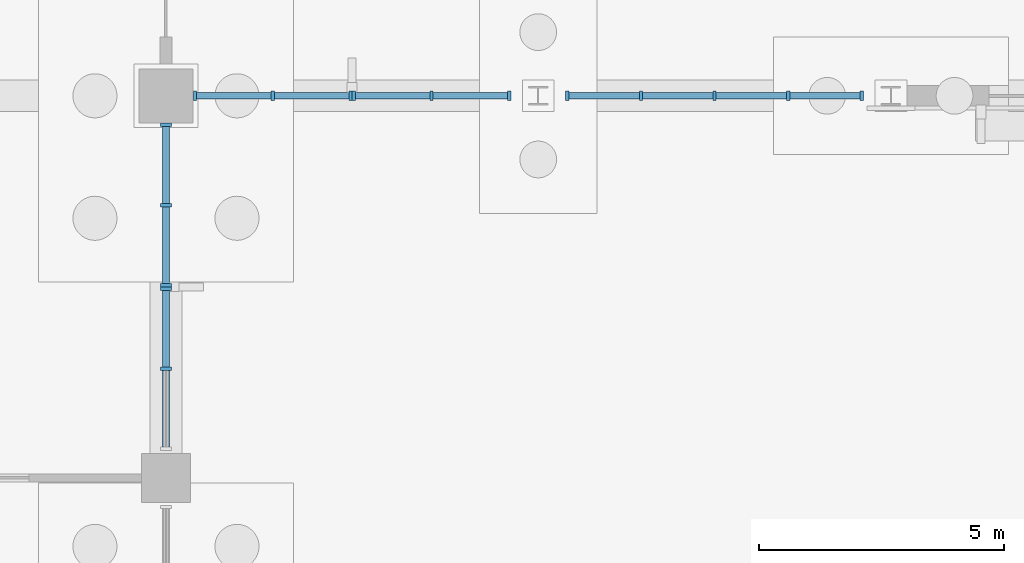
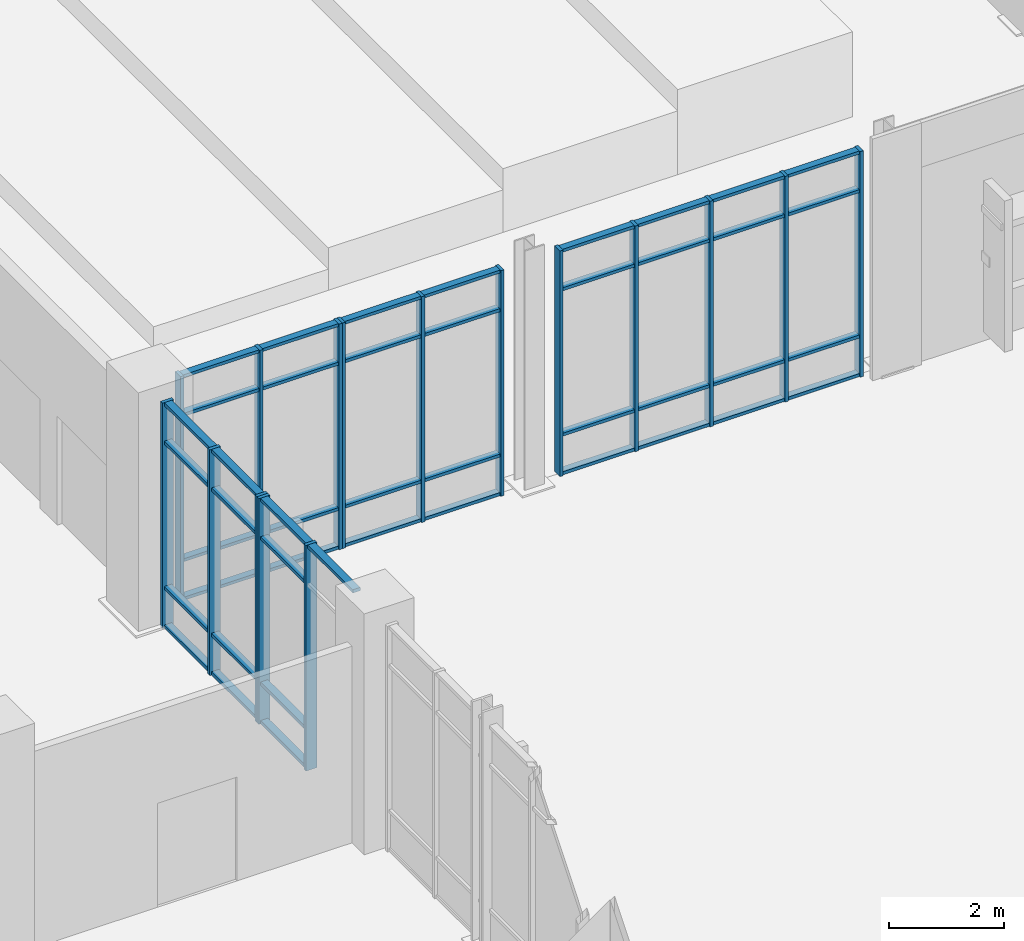
# One storey, part 47 of 94: 61 members, 5 elements without a shape of their own.
"""IFC4 building model written with IfcOpenShell, lengths in metres."""

from ifc_helpers import new_model, si_unit, direction, frame, origin, origin_2d, place, context, subcontext, project, spatial, rectangle, extrude, material, material_profile, profile_set, type_object, element, aggregate, save


model = new_model("IFC4")

# Units and contexts
model_context = context("Model", 3, precision=1e-05, world=origin(), true_north=direction((0.0, 1.0)))
body_context = subcontext(model_context, "Body", "Model", "MODEL_VIEW")
ifc_project = project(units=[si_unit("LENGTHUNIT", "METRE"), si_unit("AREAUNIT", "SQUARE_METRE"), si_unit("VOLUMEUNIT", "CUBIC_METRE"), si_unit("PLANEANGLEUNIT", "RADIAN"), si_unit("MASSUNIT", "GRAM", prefix="KILO")], contexts=[model_context])

# Site, building, storey
site_placement = place(None, origin())
site = spatial("IfcSite", under=ifc_project, at=site_placement, CompositionType="ELEMENT")
building_placement = place(site_placement, origin())
building = spatial("IfcBuilding", under=site, at=building_placement, Name="Vervanel Yard Central Library", CompositionType="ELEMENT")
storey_placement = place(building_placement, origin())
storey = spatial("IfcBuildingStorey", under=building, at=storey_placement, Name="L00", CompositionType="ELEMENT", Elevation=0.0)

# Curtain wall, members
ifc_material = material(Name="Thermally broken anodized aluminium 6063-T6", Category="aluminium")
curtain_wall_type_1 = type_object("IfcCurtainWallType", Name="Auditorium Foyer Curtain Wall", PredefinedType="NOTDEFINED", material=ifc_material)
curtain_wall_1_placement = place(storey_placement, origin())
curtain_wall_1 = element("IfcCurtainWall", 1, at=curtain_wall_1_placement, inside=storey, type_object=curtain_wall_type_1, Name="L00 Auditorium Foyer Curtain Wall CWR-L00-148", PredefinedType="NOTDEFINED")
ifc_material_profile_1 = material_profile(ifc_material, rectangle(XDim=0.06494140625, YDim=0.18994140625, at=origin_2d()), Name="ALU 65x190", Category="aluminium")
ifc_profile_set_1 = profile_set([ifc_material_profile_1], Name="Thermally broken anodized aluminium 6063-T6")
member_type_1 = type_object("IfcMemberType", Name="Curtain Wall Primary Mullion 65x190", PredefinedType="MULLION", material=ifc_profile_set_1)
member_1_placement = place(storey_placement, frame((146.592529296875, 74.39990234375, 0.0), z_axis=(0.0, 0.0, 1.0), x_axis=(1.0, 0.0, 0.0)))
member_1 = element("IfcMember", 2, at=member_1_placement, type_object=member_type_1, Name="CWR-L00-148 Mullion 1", PredefinedType="MULLION", context=body_context, shape_type="SweptSolid", body=[
    extrude(rectangle(XDim=0.06494140625, YDim=0.18994140625, at=origin_2d()), origin(), (0.0, 0.0, 1.0), 4.780029296875),
])
member_2_placement = place(storey_placement, frame((148.179931640625, 74.39990234375, 0.0), z_axis=(0.0, 0.0, 1.0), x_axis=(1.0, 0.0, 0.0)))
member_2 = element("IfcMember", 3, at=member_2_placement, type_object=member_type_1, Name="CWR-L00-148 Mullion 2", PredefinedType="MULLION", context=body_context, shape_type="SweptSolid", body=[
    extrude(rectangle(XDim=0.06494140625, YDim=0.18994140625, at=origin_2d()), origin(), (0.0, 0.0, 1.0), 4.780029296875),
])
member_3_placement = place(storey_placement, frame((149.767578125, 74.39990234375, 0.0), z_axis=(0.0, 0.0, 1.0), x_axis=(1.0, 0.0, 0.0)))
member_3 = element("IfcMember", 4, at=member_3_placement, type_object=member_type_1, Name="CWR-L00-148 Mullion 3", PredefinedType="MULLION", context=body_context, shape_type="SweptSolid", body=[
    extrude(rectangle(XDim=0.06494140625, YDim=0.18994140625, at=origin_2d()), origin(), (0.0, 0.0, 1.0), 4.780029296875),
])

curtain_wall_2_placement = place(storey_placement, origin())
curtain_wall_2 = element("IfcCurtainWall", 5, at=curtain_wall_2_placement, inside=storey, type_object=curtain_wall_type_1, Name="L00 Auditorium Foyer Curtain Wall CWR-L00-149", PredefinedType="NOTDEFINED")
member_4_placement = place(storey_placement, frame((149.83251953125, 74.39990234375, 0.0), z_axis=(0.0, 0.0, 1.0), x_axis=(1.0, 0.0, 0.0)))
member_4 = element("IfcMember", 6, at=member_4_placement, type_object=member_type_1, Name="CWR-L00-149 Mullion 1", PredefinedType="MULLION", context=body_context, shape_type="SweptSolid", body=[
    extrude(rectangle(XDim=0.06494140625, YDim=0.18994140625, at=origin_2d()), origin(), (0.0, 0.0, 1.0), 4.780029296875),
])
member_5_placement = place(storey_placement, frame((151.419921875, 74.39990234375, 0.0), z_axis=(0.0, 0.0, 1.0), x_axis=(1.0, 0.0, 0.0)))
member_5 = element("IfcMember", 7, at=member_5_placement, type_object=member_type_1, Name="CWR-L00-149 Mullion 2", PredefinedType="MULLION", context=body_context, shape_type="SweptSolid", body=[
    extrude(rectangle(XDim=0.06494140625, YDim=0.18994140625, at=origin_2d()), origin(), (0.0, 0.0, 1.0), 4.780029296875),
])
member_6_placement = place(storey_placement, frame((153.007568359375, 74.39990234375, 0.0), z_axis=(0.0, 0.0, 1.0), x_axis=(1.0, 0.0, 0.0)))
member_6 = element("IfcMember", 8, at=member_6_placement, type_object=member_type_1, Name="CWR-L00-149 Mullion 3", PredefinedType="MULLION", context=body_context, shape_type="SweptSolid", body=[
    extrude(rectangle(XDim=0.06494140625, YDim=0.18994140625, at=origin_2d()), origin(), (0.0, 0.0, 1.0), 4.780029296875),
])

curtain_wall_3_placement = place(storey_placement, origin())
curtain_wall_3 = element("IfcCurtainWall", 9, at=curtain_wall_3_placement, inside=storey, type_object=curtain_wall_type_1, Name="L00 Auditorium Foyer Curtain Wall CWR-L00-150", PredefinedType="NOTDEFINED")
member_7_placement = place(storey_placement, frame((154.1923828125, 74.39990234375, 0.0), z_axis=(0.0, 0.0, 1.0), x_axis=(1.0, 0.0, 0.0)))
member_7 = element("IfcMember", 10, at=member_7_placement, type_object=member_type_1, Name="CWR-L00-150 Mullion 1", PredefinedType="MULLION", context=body_context, shape_type="SweptSolid", body=[
    extrude(rectangle(XDim=0.06494140625, YDim=0.18994140625, at=origin_2d()), origin(), (0.0, 0.0, 1.0), 4.780029296875),
])
member_8_placement = place(storey_placement, frame((155.6962890625, 74.39990234375, 0.0), z_axis=(0.0, 0.0, 1.0), x_axis=(1.0, 0.0, 0.0)))
member_8 = element("IfcMember", 11, at=member_8_placement, type_object=member_type_1, Name="CWR-L00-150 Mullion 2", PredefinedType="MULLION", context=body_context, shape_type="SweptSolid", body=[
    extrude(rectangle(XDim=0.06494140625, YDim=0.18994140625, at=origin_2d()), origin(), (0.0, 0.0, 1.0), 4.780029296875),
])
member_9_placement = place(storey_placement, frame((157.199951171875, 74.39990234375, 0.0), z_axis=(0.0, 0.0, 1.0), x_axis=(1.0, 0.0, 0.0)))
member_9 = element("IfcMember", 12, at=member_9_placement, type_object=member_type_1, Name="CWR-L00-150 Mullion 3", PredefinedType="MULLION", context=body_context, shape_type="SweptSolid", body=[
    extrude(rectangle(XDim=0.06494140625, YDim=0.18994140625, at=origin_2d()), origin(), (0.0, 0.0, 1.0), 4.780029296875),
])
member_10_placement = place(storey_placement, frame((158.703857421875, 74.39990234375, 0.0), z_axis=(0.0, 0.0, 1.0), x_axis=(1.0, 0.0, 0.0)))
member_10 = element("IfcMember", 13, at=member_10_placement, type_object=member_type_1, Name="CWR-L00-150 Mullion 4", PredefinedType="MULLION", context=body_context, shape_type="SweptSolid", body=[
    extrude(rectangle(XDim=0.06494140625, YDim=0.18994140625, at=origin_2d()), origin(), (0.0, 0.0, 1.0), 4.780029296875),
])
member_11_placement = place(storey_placement, frame((160.20751953125, 74.39990234375, 0.0), z_axis=(0.0, 0.0, 1.0), x_axis=(1.0, 0.0, 0.0)))
member_11 = element("IfcMember", 14, at=member_11_placement, type_object=member_type_1, Name="CWR-L00-150 Mullion 5", PredefinedType="MULLION", context=body_context, shape_type="SweptSolid", body=[
    extrude(rectangle(XDim=0.06494140625, YDim=0.18994140625, at=origin_2d()), origin(), (0.0, 0.0, 1.0), 4.780029296875),
])

# Member
ifc_material_profile_2 = material_profile(ifc_material, rectangle(XDim=0.06494140625, YDim=0.139892578125, at=origin_2d()), Name="ALU 65x140", Category="aluminium")
ifc_profile_set_2 = profile_set([ifc_material_profile_2], Name="Thermally broken anodized aluminium 6063-T6")
member_type_2 = type_object("IfcMemberType", Name="Curtain Wall Transom 65x140", PredefinedType="NOTDEFINED", material=ifc_profile_set_2)
member_12_placement = place(storey_placement, frame((146.625, 74.39990234375, 0.032470703125), z_axis=(1.0, 0.0, 0.0), x_axis=(0.0, 0.0, 1.0)))
member_12 = element("IfcMember", 15, at=member_12_placement, type_object=member_type_2, Name="CWR-L00-148 Transom B1-T1", ObjectType="TRANSOM", PredefinedType="USERDEFINED", context=body_context, shape_type="SweptSolid", body=[
    extrude(rectangle(XDim=0.06494140625, YDim=0.139892578125, at=origin_2d()), origin(), (0.0, 0.0, 1.0), 1.5224609375),
])

member_13_placement = place(storey_placement, frame((146.625, 74.39990234375, 0.85009765625), z_axis=(1.0, 0.0, 0.0), x_axis=(0.0, 0.0, 1.0)))
member_13 = element("IfcMember", 16, at=member_13_placement, type_object=member_type_2, Name="CWR-L00-148 Transom B1-T2", ObjectType="TRANSOM", PredefinedType="USERDEFINED", context=body_context, shape_type="SweptSolid", body=[
    extrude(rectangle(XDim=0.06494140625, YDim=0.139892578125, at=origin_2d()), origin(), (0.0, 0.0, 1.0), 1.5224609375),
])

member_14_placement = place(storey_placement, frame((146.625, 74.39990234375, 3.929931640625), z_axis=(1.0, 0.0, 0.0), x_axis=(0.0, 0.0, 1.0)))
member_14 = element("IfcMember", 17, at=member_14_placement, type_object=member_type_2, Name="CWR-L00-148 Transom B1-T3", ObjectType="TRANSOM", PredefinedType="USERDEFINED", context=body_context, shape_type="SweptSolid", body=[
    extrude(rectangle(XDim=0.06494140625, YDim=0.139892578125, at=origin_2d()), origin(), (0.0, 0.0, 1.0), 1.5224609375),
])

member_15_placement = place(storey_placement, frame((146.625, 74.39990234375, 4.74755859375), z_axis=(1.0, 0.0, 0.0), x_axis=(0.0, 0.0, 1.0)))
member_15 = element("IfcMember", 18, at=member_15_placement, type_object=member_type_2, Name="CWR-L00-148 Transom B1-T4", ObjectType="TRANSOM", PredefinedType="USERDEFINED", context=body_context, shape_type="SweptSolid", body=[
    extrude(rectangle(XDim=0.06494140625, YDim=0.139892578125, at=origin_2d()), origin(), (0.0, 0.0, 1.0), 1.5224609375),
])

member_16_placement = place(storey_placement, frame((148.21240234375, 74.39990234375, 0.032470703125), z_axis=(1.0, 0.0, 0.0), x_axis=(0.0, 0.0, 1.0)))
member_16 = element("IfcMember", 19, at=member_16_placement, type_object=member_type_2, Name="CWR-L00-148 Transom B2-T1", ObjectType="TRANSOM", PredefinedType="USERDEFINED", context=body_context, shape_type="SweptSolid", body=[
    extrude(rectangle(XDim=0.06494140625, YDim=0.139892578125, at=origin_2d()), origin(), (0.0, 0.0, 1.0), 1.522705078125),
])

member_17_placement = place(storey_placement, frame((148.21240234375, 74.39990234375, 0.85009765625), z_axis=(1.0, 0.0, 0.0), x_axis=(0.0, 0.0, 1.0)))
member_17 = element("IfcMember", 20, at=member_17_placement, type_object=member_type_2, Name="CWR-L00-148 Transom B2-T2", ObjectType="TRANSOM", PredefinedType="USERDEFINED", context=body_context, shape_type="SweptSolid", body=[
    extrude(rectangle(XDim=0.06494140625, YDim=0.139892578125, at=origin_2d()), origin(), (0.0, 0.0, 1.0), 1.522705078125),
])

member_18_placement = place(storey_placement, frame((148.21240234375, 74.39990234375, 3.929931640625), z_axis=(1.0, 0.0, 0.0), x_axis=(0.0, 0.0, 1.0)))
member_18 = element("IfcMember", 21, at=member_18_placement, type_object=member_type_2, Name="CWR-L00-148 Transom B2-T3", ObjectType="TRANSOM", PredefinedType="USERDEFINED", context=body_context, shape_type="SweptSolid", body=[
    extrude(rectangle(XDim=0.06494140625, YDim=0.139892578125, at=origin_2d()), origin(), (0.0, 0.0, 1.0), 1.522705078125),
])

member_19_placement = place(storey_placement, frame((148.21240234375, 74.39990234375, 4.74755859375), z_axis=(1.0, 0.0, 0.0), x_axis=(0.0, 0.0, 1.0)))
member_19 = element("IfcMember", 22, at=member_19_placement, type_object=member_type_2, Name="CWR-L00-148 Transom B2-T4", ObjectType="TRANSOM", PredefinedType="USERDEFINED", context=body_context, shape_type="SweptSolid", body=[
    extrude(rectangle(XDim=0.06494140625, YDim=0.139892578125, at=origin_2d()), origin(), (0.0, 0.0, 1.0), 1.522705078125),
])

aggregate(curtain_wall_1, [member_1, member_2, member_3, member_12, member_13, member_14, member_15, member_16, member_17, member_18, member_19])

member_20_placement = place(storey_placement, frame((149.864990234375, 74.39990234375, 0.032470703125), z_axis=(1.0, 0.0, 0.0), x_axis=(0.0, 0.0, 1.0)))
member_20 = element("IfcMember", 23, at=member_20_placement, type_object=member_type_2, Name="CWR-L00-149 Transom B1-T1", ObjectType="TRANSOM", PredefinedType="USERDEFINED", context=body_context, shape_type="SweptSolid", body=[
    extrude(rectangle(XDim=0.06494140625, YDim=0.139892578125, at=origin_2d()), origin(), (0.0, 0.0, 1.0), 1.5224609375),
])

member_21_placement = place(storey_placement, frame((149.864990234375, 74.39990234375, 0.85009765625), z_axis=(1.0, 0.0, 0.0), x_axis=(0.0, 0.0, 1.0)))
member_21 = element("IfcMember", 24, at=member_21_placement, type_object=member_type_2, Name="CWR-L00-149 Transom B1-T2", ObjectType="TRANSOM", PredefinedType="USERDEFINED", context=body_context, shape_type="SweptSolid", body=[
    extrude(rectangle(XDim=0.06494140625, YDim=0.139892578125, at=origin_2d()), origin(), (0.0, 0.0, 1.0), 1.5224609375),
])

member_22_placement = place(storey_placement, frame((149.864990234375, 74.39990234375, 3.929931640625), z_axis=(1.0, 0.0, 0.0), x_axis=(0.0, 0.0, 1.0)))
member_22 = element("IfcMember", 25, at=member_22_placement, type_object=member_type_2, Name="CWR-L00-149 Transom B1-T3", ObjectType="TRANSOM", PredefinedType="USERDEFINED", context=body_context, shape_type="SweptSolid", body=[
    extrude(rectangle(XDim=0.06494140625, YDim=0.139892578125, at=origin_2d()), origin(), (0.0, 0.0, 1.0), 1.5224609375),
])

member_23_placement = place(storey_placement, frame((149.864990234375, 74.39990234375, 4.74755859375), z_axis=(1.0, 0.0, 0.0), x_axis=(0.0, 0.0, 1.0)))
member_23 = element("IfcMember", 26, at=member_23_placement, type_object=member_type_2, Name="CWR-L00-149 Transom B1-T4", ObjectType="TRANSOM", PredefinedType="USERDEFINED", context=body_context, shape_type="SweptSolid", body=[
    extrude(rectangle(XDim=0.06494140625, YDim=0.139892578125, at=origin_2d()), origin(), (0.0, 0.0, 1.0), 1.5224609375),
])

member_24_placement = place(storey_placement, frame((151.452392578125, 74.39990234375, 0.032470703125), z_axis=(1.0, 0.0, 0.0), x_axis=(0.0, 0.0, 1.0)))
member_24 = element("IfcMember", 27, at=member_24_placement, type_object=member_type_2, Name="CWR-L00-149 Transom B2-T1", ObjectType="TRANSOM", PredefinedType="USERDEFINED", context=body_context, shape_type="SweptSolid", body=[
    extrude(rectangle(XDim=0.06494140625, YDim=0.139892578125, at=origin_2d()), origin(), (0.0, 0.0, 1.0), 1.522705078125),
])

member_25_placement = place(storey_placement, frame((151.452392578125, 74.39990234375, 0.85009765625), z_axis=(1.0, 0.0, 0.0), x_axis=(0.0, 0.0, 1.0)))
member_25 = element("IfcMember", 28, at=member_25_placement, type_object=member_type_2, Name="CWR-L00-149 Transom B2-T2", ObjectType="TRANSOM", PredefinedType="USERDEFINED", context=body_context, shape_type="SweptSolid", body=[
    extrude(rectangle(XDim=0.06494140625, YDim=0.139892578125, at=origin_2d()), origin(), (0.0, 0.0, 1.0), 1.522705078125),
])

member_26_placement = place(storey_placement, frame((151.452392578125, 74.39990234375, 3.929931640625), z_axis=(1.0, 0.0, 0.0), x_axis=(0.0, 0.0, 1.0)))
member_26 = element("IfcMember", 29, at=member_26_placement, type_object=member_type_2, Name="CWR-L00-149 Transom B2-T3", ObjectType="TRANSOM", PredefinedType="USERDEFINED", context=body_context, shape_type="SweptSolid", body=[
    extrude(rectangle(XDim=0.06494140625, YDim=0.139892578125, at=origin_2d()), origin(), (0.0, 0.0, 1.0), 1.522705078125),
])

member_27_placement = place(storey_placement, frame((151.452392578125, 74.39990234375, 4.74755859375), z_axis=(1.0, 0.0, 0.0), x_axis=(0.0, 0.0, 1.0)))
member_27 = element("IfcMember", 30, at=member_27_placement, type_object=member_type_2, Name="CWR-L00-149 Transom B2-T4", ObjectType="TRANSOM", PredefinedType="USERDEFINED", context=body_context, shape_type="SweptSolid", body=[
    extrude(rectangle(XDim=0.06494140625, YDim=0.139892578125, at=origin_2d()), origin(), (0.0, 0.0, 1.0), 1.522705078125),
])

aggregate(curtain_wall_2, [member_4, member_5, member_6, member_20, member_21, member_22, member_23, member_24, member_25, member_26, member_27])

member_28_placement = place(storey_placement, frame((154.22509765625, 74.39990234375, 0.032470703125), z_axis=(1.0, 0.0, 0.0), x_axis=(0.0, 0.0, 1.0)))
member_28 = element("IfcMember", 31, at=member_28_placement, type_object=member_type_2, Name="CWR-L00-150 Transom B1-T1", ObjectType="TRANSOM", PredefinedType="USERDEFINED", context=body_context, shape_type="SweptSolid", body=[
    extrude(rectangle(XDim=0.06494140625, YDim=0.139892578125, at=origin_2d()), origin(), (0.0, 0.0, 1.0), 1.438720703125),
])

member_29_placement = place(storey_placement, frame((154.22509765625, 74.39990234375, 0.85009765625), z_axis=(1.0, 0.0, 0.0), x_axis=(0.0, 0.0, 1.0)))
member_29 = element("IfcMember", 32, at=member_29_placement, type_object=member_type_2, Name="CWR-L00-150 Transom B1-T2", ObjectType="TRANSOM", PredefinedType="USERDEFINED", context=body_context, shape_type="SweptSolid", body=[
    extrude(rectangle(XDim=0.06494140625, YDim=0.139892578125, at=origin_2d()), origin(), (0.0, 0.0, 1.0), 1.438720703125),
])

member_30_placement = place(storey_placement, frame((154.22509765625, 74.39990234375, 3.929931640625), z_axis=(1.0, 0.0, 0.0), x_axis=(0.0, 0.0, 1.0)))
member_30 = element("IfcMember", 33, at=member_30_placement, type_object=member_type_2, Name="CWR-L00-150 Transom B1-T3", ObjectType="TRANSOM", PredefinedType="USERDEFINED", context=body_context, shape_type="SweptSolid", body=[
    extrude(rectangle(XDim=0.06494140625, YDim=0.139892578125, at=origin_2d()), origin(), (0.0, 0.0, 1.0), 1.438720703125),
])

member_31_placement = place(storey_placement, frame((154.22509765625, 74.39990234375, 4.74755859375), z_axis=(1.0, 0.0, 0.0), x_axis=(0.0, 0.0, 1.0)))
member_31 = element("IfcMember", 34, at=member_31_placement, type_object=member_type_2, Name="CWR-L00-150 Transom B1-T4", ObjectType="TRANSOM", PredefinedType="USERDEFINED", context=body_context, shape_type="SweptSolid", body=[
    extrude(rectangle(XDim=0.06494140625, YDim=0.139892578125, at=origin_2d()), origin(), (0.0, 0.0, 1.0), 1.438720703125),
])

member_32_placement = place(storey_placement, frame((155.728759765625, 74.39990234375, 0.032470703125), z_axis=(1.0, 0.0, 0.0), x_axis=(0.0, 0.0, 1.0)))
member_32 = element("IfcMember", 35, at=member_32_placement, type_object=member_type_2, Name="CWR-L00-150 Transom B2-T1", ObjectType="TRANSOM", PredefinedType="USERDEFINED", context=body_context, shape_type="SweptSolid", body=[
    extrude(rectangle(XDim=0.06494140625, YDim=0.139892578125, at=origin_2d()), origin(), (0.0, 0.0, 1.0), 1.438720703125),
])

member_33_placement = place(storey_placement, frame((155.728759765625, 74.39990234375, 0.85009765625), z_axis=(1.0, 0.0, 0.0), x_axis=(0.0, 0.0, 1.0)))
member_33 = element("IfcMember", 36, at=member_33_placement, type_object=member_type_2, Name="CWR-L00-150 Transom B2-T2", ObjectType="TRANSOM", PredefinedType="USERDEFINED", context=body_context, shape_type="SweptSolid", body=[
    extrude(rectangle(XDim=0.06494140625, YDim=0.139892578125, at=origin_2d()), origin(), (0.0, 0.0, 1.0), 1.438720703125),
])

member_34_placement = place(storey_placement, frame((155.728759765625, 74.39990234375, 3.929931640625), z_axis=(1.0, 0.0, 0.0), x_axis=(0.0, 0.0, 1.0)))
member_34 = element("IfcMember", 37, at=member_34_placement, type_object=member_type_2, Name="CWR-L00-150 Transom B2-T3", ObjectType="TRANSOM", PredefinedType="USERDEFINED", context=body_context, shape_type="SweptSolid", body=[
    extrude(rectangle(XDim=0.06494140625, YDim=0.139892578125, at=origin_2d()), origin(), (0.0, 0.0, 1.0), 1.438720703125),
])

member_35_placement = place(storey_placement, frame((155.728759765625, 74.39990234375, 4.74755859375), z_axis=(1.0, 0.0, 0.0), x_axis=(0.0, 0.0, 1.0)))
member_35 = element("IfcMember", 38, at=member_35_placement, type_object=member_type_2, Name="CWR-L00-150 Transom B2-T4", ObjectType="TRANSOM", PredefinedType="USERDEFINED", context=body_context, shape_type="SweptSolid", body=[
    extrude(rectangle(XDim=0.06494140625, YDim=0.139892578125, at=origin_2d()), origin(), (0.0, 0.0, 1.0), 1.438720703125),
])

member_36_placement = place(storey_placement, frame((157.232421875, 74.39990234375, 0.032470703125), z_axis=(1.0, 0.0, 0.0), x_axis=(0.0, 0.0, 1.0)))
member_36 = element("IfcMember", 39, at=member_36_placement, type_object=member_type_2, Name="CWR-L00-150 Transom B3-T1", ObjectType="TRANSOM", PredefinedType="USERDEFINED", context=body_context, shape_type="SweptSolid", body=[
    extrude(rectangle(XDim=0.06494140625, YDim=0.139892578125, at=origin_2d()), origin(), (0.0, 0.0, 1.0), 1.438720703125),
])

member_37_placement = place(storey_placement, frame((157.232421875, 74.39990234375, 0.85009765625), z_axis=(1.0, 0.0, 0.0), x_axis=(0.0, 0.0, 1.0)))
member_37 = element("IfcMember", 40, at=member_37_placement, type_object=member_type_2, Name="CWR-L00-150 Transom B3-T2", ObjectType="TRANSOM", PredefinedType="USERDEFINED", context=body_context, shape_type="SweptSolid", body=[
    extrude(rectangle(XDim=0.06494140625, YDim=0.139892578125, at=origin_2d()), origin(), (0.0, 0.0, 1.0), 1.438720703125),
])

member_38_placement = place(storey_placement, frame((157.232421875, 74.39990234375, 3.929931640625), z_axis=(1.0, 0.0, 0.0), x_axis=(0.0, 0.0, 1.0)))
member_38 = element("IfcMember", 41, at=member_38_placement, type_object=member_type_2, Name="CWR-L00-150 Transom B3-T3", ObjectType="TRANSOM", PredefinedType="USERDEFINED", context=body_context, shape_type="SweptSolid", body=[
    extrude(rectangle(XDim=0.06494140625, YDim=0.139892578125, at=origin_2d()), origin(), (0.0, 0.0, 1.0), 1.438720703125),
])

member_39_placement = place(storey_placement, frame((157.232421875, 74.39990234375, 4.74755859375), z_axis=(1.0, 0.0, 0.0), x_axis=(0.0, 0.0, 1.0)))
member_39 = element("IfcMember", 42, at=member_39_placement, type_object=member_type_2, Name="CWR-L00-150 Transom B3-T4", ObjectType="TRANSOM", PredefinedType="USERDEFINED", context=body_context, shape_type="SweptSolid", body=[
    extrude(rectangle(XDim=0.06494140625, YDim=0.139892578125, at=origin_2d()), origin(), (0.0, 0.0, 1.0), 1.438720703125),
])

member_40_placement = place(storey_placement, frame((158.736328125, 74.39990234375, 0.032470703125), z_axis=(1.0, 0.0, 0.0), x_axis=(0.0, 0.0, 1.0)))
member_40 = element("IfcMember", 43, at=member_40_placement, type_object=member_type_2, Name="CWR-L00-150 Transom B4-T1", ObjectType="TRANSOM", PredefinedType="USERDEFINED", context=body_context, shape_type="SweptSolid", body=[
    extrude(rectangle(XDim=0.06494140625, YDim=0.139892578125, at=origin_2d()), origin(), (0.0, 0.0, 1.0), 1.438720703125),
])

member_41_placement = place(storey_placement, frame((158.736328125, 74.39990234375, 0.85009765625), z_axis=(1.0, 0.0, 0.0), x_axis=(0.0, 0.0, 1.0)))
member_41 = element("IfcMember", 44, at=member_41_placement, type_object=member_type_2, Name="CWR-L00-150 Transom B4-T2", ObjectType="TRANSOM", PredefinedType="USERDEFINED", context=body_context, shape_type="SweptSolid", body=[
    extrude(rectangle(XDim=0.06494140625, YDim=0.139892578125, at=origin_2d()), origin(), (0.0, 0.0, 1.0), 1.438720703125),
])

member_42_placement = place(storey_placement, frame((158.736328125, 74.39990234375, 3.929931640625), z_axis=(1.0, 0.0, 0.0), x_axis=(0.0, 0.0, 1.0)))
member_42 = element("IfcMember", 45, at=member_42_placement, type_object=member_type_2, Name="CWR-L00-150 Transom B4-T3", ObjectType="TRANSOM", PredefinedType="USERDEFINED", context=body_context, shape_type="SweptSolid", body=[
    extrude(rectangle(XDim=0.06494140625, YDim=0.139892578125, at=origin_2d()), origin(), (0.0, 0.0, 1.0), 1.438720703125),
])

member_43_placement = place(storey_placement, frame((158.736328125, 74.39990234375, 4.74755859375), z_axis=(1.0, 0.0, 0.0), x_axis=(0.0, 0.0, 1.0)))
member_43 = element("IfcMember", 46, at=member_43_placement, type_object=member_type_2, Name="CWR-L00-150 Transom B4-T4", ObjectType="TRANSOM", PredefinedType="USERDEFINED", context=body_context, shape_type="SweptSolid", body=[
    extrude(rectangle(XDim=0.06494140625, YDim=0.139892578125, at=origin_2d()), origin(), (0.0, 0.0, 1.0), 1.438720703125),
])

aggregate(curtain_wall_3, [member_7, member_8, member_9, member_10, member_11, member_28, member_29, member_30, member_31, member_32, member_33, member_34, member_35, member_36, member_37, member_38, member_39, member_40, member_41, member_42, member_43])

# Curtain wall, members
curtain_wall_type_2 = type_object("IfcCurtainWallType", Name="Prow Cantilever Glazed Curtain Wall", PredefinedType="NOTDEFINED", material=ifc_material)
curtain_wall_4_placement = place(storey_placement, origin())
curtain_wall_4 = element("IfcCurtainWall", 47, at=curtain_wall_4_placement, inside=storey, type_object=curtain_wall_type_2, Name="L00 Prow Cantilever Glazed Curtain Wall CWR-L00-122", PredefinedType="NOTDEFINED")
ifc_material_profile_3 = material_profile(ifc_material, rectangle(XDim=0.070068359375, YDim=0.219970703125, at=origin_2d()), Name="ALU 70x220", Category="aluminium")
ifc_profile_set_3 = profile_set([ifc_material_profile_3], Name="Thermally broken anodized aluminium 6063-T6")
member_type_3 = type_object("IfcMemberType", Name="Reading Hall Deep Mullion 70x220", PredefinedType="MULLION", material=ifc_profile_set_3)
member_44_placement = place(storey_placement, frame((146.0, 68.830078125, 0.0), z_axis=(0.0, 0.0, 1.0), x_axis=(0.0, 1.0, 0.0)))
member_44 = element("IfcMember", 48, at=member_44_placement, type_object=member_type_3, Name="CWR-L00-122 Mullion 2", PredefinedType="MULLION", context=body_context, shape_type="SweptSolid", body=[
    extrude(rectangle(XDim=0.070068359375, YDim=0.219970703125, at=origin_2d()), origin(), (0.0, 0.0, 1.0), 4.780029296875),
])
member_45_placement = place(storey_placement, frame((146.0, 70.465087890625, 0.0), z_axis=(0.0, 0.0, 1.0), x_axis=(0.0, 1.0, 0.0)))
member_45 = element("IfcMember", 49, at=member_45_placement, type_object=member_type_3, Name="CWR-L00-122 Mullion 3", PredefinedType="MULLION", context=body_context, shape_type="SweptSolid", body=[
    extrude(rectangle(XDim=0.070068359375, YDim=0.219970703125, at=origin_2d()), origin(), (0.0, 0.0, 1.0), 4.780029296875),
])

curtain_wall_5_placement = place(storey_placement, origin())
curtain_wall_5 = element("IfcCurtainWall", 50, at=curtain_wall_5_placement, inside=storey, type_object=curtain_wall_type_2, Name="L00 Prow Cantilever Glazed Curtain Wall CWR-L00-123", PredefinedType="NOTDEFINED")
member_46_placement = place(storey_placement, frame((146.0, 70.534912109375, 0.0), z_axis=(0.0, 0.0, 1.0), x_axis=(0.0, 1.0, 0.0)))
member_46 = element("IfcMember", 51, at=member_46_placement, type_object=member_type_3, Name="CWR-L00-123 Mullion 1", PredefinedType="MULLION", context=body_context, shape_type="SweptSolid", body=[
    extrude(rectangle(XDim=0.070068359375, YDim=0.219970703125, at=origin_2d()), origin(), (0.0, 0.0, 1.0), 4.780029296875),
])
member_47_placement = place(storey_placement, frame((146.0, 72.169921875, 0.0), z_axis=(0.0, 0.0, 1.0), x_axis=(0.0, 1.0, 0.0)))
member_47 = element("IfcMember", 52, at=member_47_placement, type_object=member_type_3, Name="CWR-L00-123 Mullion 2", PredefinedType="MULLION", context=body_context, shape_type="SweptSolid", body=[
    extrude(rectangle(XDim=0.070068359375, YDim=0.219970703125, at=origin_2d()), origin(), (0.0, 0.0, 1.0), 4.780029296875),
])
member_48_placement = place(storey_placement, frame((146.0, 73.804931640625, 0.0), z_axis=(0.0, 0.0, 1.0), x_axis=(0.0, 1.0, 0.0)))
member_48 = element("IfcMember", 53, at=member_48_placement, type_object=member_type_3, Name="CWR-L00-123 Mullion 3", PredefinedType="MULLION", context=body_context, shape_type="SweptSolid", body=[
    extrude(rectangle(XDim=0.070068359375, YDim=0.219970703125, at=origin_2d()), origin(), (0.0, 0.0, 1.0), 4.780029296875),
])

# Member
ifc_material_profile_4 = material_profile(ifc_material, rectangle(XDim=0.070068359375, YDim=0.14990234375, at=origin_2d()), Name="ALU 70x150", Category="aluminium")
ifc_profile_set_4 = profile_set([ifc_material_profile_4], Name="Thermally broken anodized aluminium 6063-T6")
member_type_4 = type_object("IfcMemberType", Name="Reading Hall Deep Transom 70x150", PredefinedType="NOTDEFINED", material=ifc_profile_set_4)
member_49_placement = place(storey_placement, frame((146.0, 67.22998046875, 4.7451171875), z_axis=(0.0, 1.0, 0.0), x_axis=(0.0, 0.0, 1.0)))
member_49 = element("IfcMember", 54, at=member_49_placement, type_object=member_type_4, Name="CWR-L00-122 Transom B1-T4", ObjectType="TRANSOM", PredefinedType="USERDEFINED", context=body_context, shape_type="SweptSolid", body=[
    extrude(rectangle(XDim=0.070068359375, YDim=0.14990234375, at=origin_2d()), origin(), (0.0, 0.0, 1.0), 1.56494140625),
])

member_50_placement = place(storey_placement, frame((146.0, 68.864990234375, 0.034912109375), z_axis=(0.0, 1.0, 0.0), x_axis=(0.0, 0.0, 1.0)))
member_50 = element("IfcMember", 55, at=member_50_placement, type_object=member_type_4, Name="CWR-L00-122 Transom B2-T1", ObjectType="TRANSOM", PredefinedType="USERDEFINED", context=body_context, shape_type="SweptSolid", body=[
    extrude(rectangle(XDim=0.070068359375, YDim=0.14990234375, at=origin_2d()), origin(), (0.0, 0.0, 1.0), 1.56494140625),
])

member_51_placement = place(storey_placement, frame((146.0, 68.864990234375, 0.85009765625), z_axis=(0.0, 1.0, 0.0), x_axis=(0.0, 0.0, 1.0)))
member_51 = element("IfcMember", 56, at=member_51_placement, type_object=member_type_4, Name="CWR-L00-122 Transom B2-T2", ObjectType="TRANSOM", PredefinedType="USERDEFINED", context=body_context, shape_type="SweptSolid", body=[
    extrude(rectangle(XDim=0.070068359375, YDim=0.14990234375, at=origin_2d()), origin(), (0.0, 0.0, 1.0), 1.56494140625),
])

member_52_placement = place(storey_placement, frame((146.0, 68.864990234375, 3.929931640625), z_axis=(0.0, 1.0, 0.0), x_axis=(0.0, 0.0, 1.0)))
member_52 = element("IfcMember", 57, at=member_52_placement, type_object=member_type_4, Name="CWR-L00-122 Transom B2-T3", ObjectType="TRANSOM", PredefinedType="USERDEFINED", context=body_context, shape_type="SweptSolid", body=[
    extrude(rectangle(XDim=0.070068359375, YDim=0.14990234375, at=origin_2d()), origin(), (0.0, 0.0, 1.0), 1.56494140625),
])

member_53_placement = place(storey_placement, frame((146.0, 68.864990234375, 4.7451171875), z_axis=(0.0, 1.0, 0.0), x_axis=(0.0, 0.0, 1.0)))
member_53 = element("IfcMember", 58, at=member_53_placement, type_object=member_type_4, Name="CWR-L00-122 Transom B2-T4", ObjectType="TRANSOM", PredefinedType="USERDEFINED", context=body_context, shape_type="SweptSolid", body=[
    extrude(rectangle(XDim=0.070068359375, YDim=0.14990234375, at=origin_2d()), origin(), (0.0, 0.0, 1.0), 1.56494140625),
])

aggregate(curtain_wall_4, [member_44, member_45, member_49, member_50, member_51, member_52, member_53])

member_54_placement = place(storey_placement, frame((146.0, 70.570068359375, 0.034912109375), z_axis=(0.0, 1.0, 0.0), x_axis=(0.0, 0.0, 1.0)))
member_54 = element("IfcMember", 59, at=member_54_placement, type_object=member_type_4, Name="CWR-L00-123 Transom B1-T1", ObjectType="TRANSOM", PredefinedType="USERDEFINED", context=body_context, shape_type="SweptSolid", body=[
    extrude(rectangle(XDim=0.070068359375, YDim=0.14990234375, at=origin_2d()), origin(), (0.0, 0.0, 1.0), 1.56494140625),
])

member_55_placement = place(storey_placement, frame((146.0, 70.570068359375, 0.85009765625), z_axis=(0.0, 1.0, 0.0), x_axis=(0.0, 0.0, 1.0)))
member_55 = element("IfcMember", 60, at=member_55_placement, type_object=member_type_4, Name="CWR-L00-123 Transom B1-T2", ObjectType="TRANSOM", PredefinedType="USERDEFINED", context=body_context, shape_type="SweptSolid", body=[
    extrude(rectangle(XDim=0.070068359375, YDim=0.14990234375, at=origin_2d()), origin(), (0.0, 0.0, 1.0), 1.56494140625),
])

member_56_placement = place(storey_placement, frame((146.0, 70.570068359375, 3.929931640625), z_axis=(0.0, 1.0, 0.0), x_axis=(0.0, 0.0, 1.0)))
member_56 = element("IfcMember", 61, at=member_56_placement, type_object=member_type_4, Name="CWR-L00-123 Transom B1-T3", ObjectType="TRANSOM", PredefinedType="USERDEFINED", context=body_context, shape_type="SweptSolid", body=[
    extrude(rectangle(XDim=0.070068359375, YDim=0.14990234375, at=origin_2d()), origin(), (0.0, 0.0, 1.0), 1.56494140625),
])

member_57_placement = place(storey_placement, frame((146.0, 70.570068359375, 4.7451171875), z_axis=(0.0, 1.0, 0.0), x_axis=(0.0, 0.0, 1.0)))
member_57 = element("IfcMember", 62, at=member_57_placement, type_object=member_type_4, Name="CWR-L00-123 Transom B1-T4", ObjectType="TRANSOM", PredefinedType="USERDEFINED", context=body_context, shape_type="SweptSolid", body=[
    extrude(rectangle(XDim=0.070068359375, YDim=0.14990234375, at=origin_2d()), origin(), (0.0, 0.0, 1.0), 1.56494140625),
])

member_58_placement = place(storey_placement, frame((146.0, 72.205078125, 0.034912109375), z_axis=(0.0, 1.0, 0.0), x_axis=(0.0, 0.0, 1.0)))
member_58 = element("IfcMember", 63, at=member_58_placement, type_object=member_type_4, Name="CWR-L00-123 Transom B2-T1", ObjectType="TRANSOM", PredefinedType="USERDEFINED", context=body_context, shape_type="SweptSolid", body=[
    extrude(rectangle(XDim=0.070068359375, YDim=0.14990234375, at=origin_2d()), origin(), (0.0, 0.0, 1.0), 1.56494140625),
])

member_59_placement = place(storey_placement, frame((146.0, 72.205078125, 0.85009765625), z_axis=(0.0, 1.0, 0.0), x_axis=(0.0, 0.0, 1.0)))
member_59 = element("IfcMember", 64, at=member_59_placement, type_object=member_type_4, Name="CWR-L00-123 Transom B2-T2", ObjectType="TRANSOM", PredefinedType="USERDEFINED", context=body_context, shape_type="SweptSolid", body=[
    extrude(rectangle(XDim=0.070068359375, YDim=0.14990234375, at=origin_2d()), origin(), (0.0, 0.0, 1.0), 1.56494140625),
])

member_60_placement = place(storey_placement, frame((146.0, 72.205078125, 3.929931640625), z_axis=(0.0, 1.0, 0.0), x_axis=(0.0, 0.0, 1.0)))
member_60 = element("IfcMember", 65, at=member_60_placement, type_object=member_type_4, Name="CWR-L00-123 Transom B2-T3", ObjectType="TRANSOM", PredefinedType="USERDEFINED", context=body_context, shape_type="SweptSolid", body=[
    extrude(rectangle(XDim=0.070068359375, YDim=0.14990234375, at=origin_2d()), origin(), (0.0, 0.0, 1.0), 1.56494140625),
])

member_61_placement = place(storey_placement, frame((146.0, 72.205078125, 4.7451171875), z_axis=(0.0, 1.0, 0.0), x_axis=(0.0, 0.0, 1.0)))
member_61 = element("IfcMember", 66, at=member_61_placement, type_object=member_type_4, Name="CWR-L00-123 Transom B2-T4", ObjectType="TRANSOM", PredefinedType="USERDEFINED", context=body_context, shape_type="SweptSolid", body=[
    extrude(rectangle(XDim=0.070068359375, YDim=0.14990234375, at=origin_2d()), origin(), (0.0, 0.0, 1.0), 1.56494140625),
])

aggregate(curtain_wall_5, [member_46, member_47, member_48, member_54, member_55, member_56, member_57, member_58, member_59, member_60, member_61])

save(model, "model.ifc")
